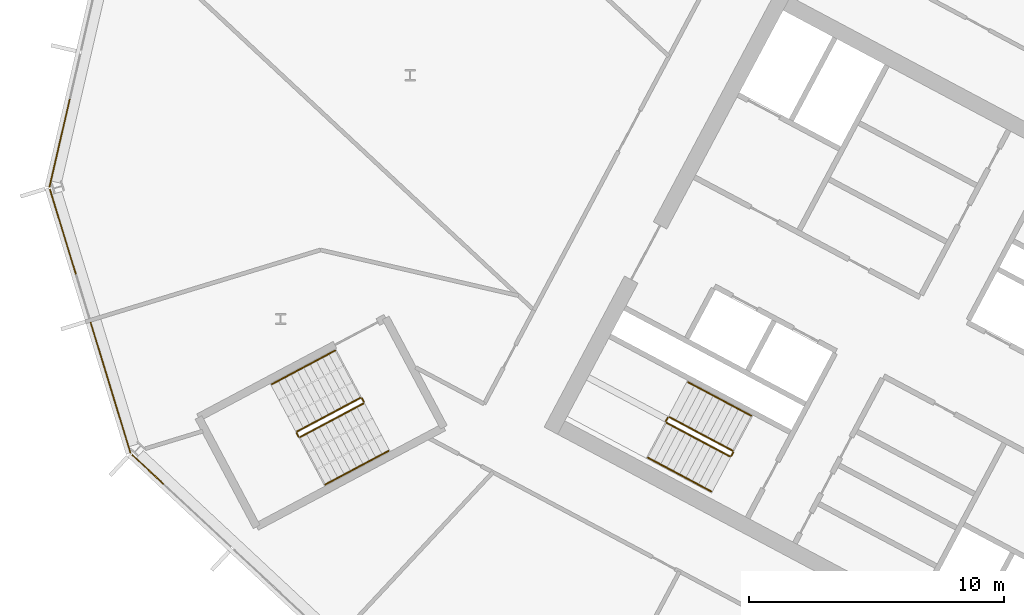
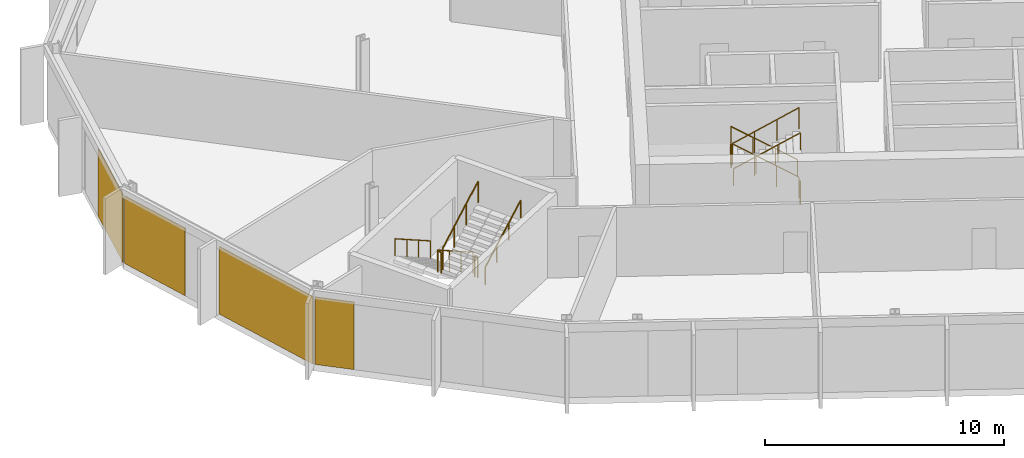
# One storey, part 20 of 26: 12 railings, 4 coverings, 3 elements without a shape of their own.
"""IFC4 building model written with IfcOpenShell, lengths in metres."""

from ifc_helpers import new_model, si_unit, direction, frame, origin, origin_2d, place, context, subcontext, project, spatial, polyline, rectangle, outline, extrude, material, layer, layer_set, type_object, element, aggregate, save


model = new_model("IFC4")

# Units and contexts
model_context = context("Model", 3, precision=1e-05, world=origin(), true_north=direction((0.0, 1.0)))
body_context = subcontext(model_context, "Body", "Model", "MODEL_VIEW")
ifc_project = project(units=[si_unit("LENGTHUNIT", "METRE"), si_unit("AREAUNIT", "SQUARE_METRE"), si_unit("VOLUMEUNIT", "CUBIC_METRE"), si_unit("PLANEANGLEUNIT", "RADIAN"), si_unit("MASSUNIT", "GRAM", prefix="KILO")], contexts=[model_context])

# Site, building, storey
site_placement = place(None, origin())
site = spatial("IfcSite", under=ifc_project, at=site_placement, CompositionType="ELEMENT")
building_placement = place(site_placement, origin())
building = spatial("IfcBuilding", under=site, at=building_placement, Name="Cormorant Relay Tower", CompositionType="ELEMENT")
storey_placement = place(building_placement, frame((0.0, 0.0, 228.60009765625)))
storey = spatial("IfcBuildingStorey", under=building, at=storey_placement, Name="L50", CompositionType="ELEMENT", Elevation=228.60009765625)

# Curtain wall, covering
ifc_material_1 = material(Name="Aluminium 6063-T6 anodised bronze", Category="aluminium")
ifc_layer_1 = layer(ifc_material_1, 0.199951171875)
ifc_layer_set_1 = layer_set([ifc_layer_1], Name="CW1 unitised bronze curtain wall with vertical fins")
curtain_wall_type = type_object("IfcCurtainWallType", Name="CW1 unitised bronze curtain wall with vertical fins", PredefinedType="NOTDEFINED", material=ifc_layer_set_1)
curtain_wall_1_placement = place(storey_placement, origin())
curtain_wall_1 = element("IfcCurtainWall", 1, at=curtain_wall_1_placement, inside=storey, type_object=curtain_wall_type, Name="CW1 curtain wall 13", PredefinedType="NOTDEFINED")
ifc_material_2 = material(Name="Pale bronze anodised aluminium insulated panel", Category="aluminium")
ifc_layer_2 = layer(ifc_material_2, 0.0400390625)
ifc_layer_set_2 = layer_set([ifc_layer_2], Name="CW1 pale bronze insulated panel 40")
covering_type = type_object("IfcCoveringType", Name="CW1 pale bronze insulated panel 40", PredefinedType="CLADDING", material=ifc_layer_set_2)
covering_1_placement = place(storey_placement, frame((-60.3388671875, 22.13232421875, 0.0), z_axis=(0.0, 0.0, 1.0), x_axis=(-0.224951054344, -0.974370064785, 0.0)))
covering_1 = element("IfcCovering", 2, at=covering_1_placement, type_object=covering_type, Name="CW1 panel S02", PredefinedType="CLADDING", context=body_context, shape_type="SweptSolid", body=[
    extrude(rectangle(XDim=3.560302734375, YDim=0.0400390625, at=origin_2d()), origin(), (0.0, 0.0, 1.0), 3.449951171875),
])
aggregate(curtain_wall_1, [covering_1])

# Curtain wall, coverings
curtain_wall_2_placement = place(storey_placement, origin())
curtain_wall_2 = element("IfcCurtainWall", 3, at=curtain_wall_2_placement, inside=storey, type_object=curtain_wall_type, Name="CW1 curtain wall 14", PredefinedType="NOTDEFINED")
covering_2_placement = place(storey_placement, frame((-60.20751953125, 18.6494140625, 0.0), z_axis=(0.0, 0.0, 1.0), x_axis=(0.292371704723, -0.956304755963, 0.0)))
covering_2 = element("IfcCovering", 4, at=covering_2_placement, type_object=covering_type, Name="CW1 panel S00", PredefinedType="CLADDING", context=body_context, shape_type="SweptSolid", body=[
    extrude(rectangle(XDim=3.485107421875, YDim=0.0400390625, at=origin_2d()), origin(), (0.0, 0.0, 1.0), 3.449951171875),
])
covering_3_placement = place(storey_placement, frame((-58.344482421875, 12.55517578125, 0.0), z_axis=(0.0, 0.0, 1.0), x_axis=(0.292371704723, -0.956304755963, 0.0)))
covering_3 = element("IfcCovering", 5, at=covering_3_placement, type_object=covering_type, Name="CW1 panel S02", PredefinedType="CLADDING", context=body_context, shape_type="SweptSolid", body=[
    extrude(rectangle(XDim=5.360107421875, YDim=0.0400390625, at=origin_2d()), origin(), (0.0, 0.0, 1.0), 3.449951171875),
])
aggregate(curtain_wall_2, [covering_2, covering_3])

# Curtain wall, covering
curtain_wall_3_placement = place(storey_placement, origin())
curtain_wall_3 = element("IfcCurtainWall", 6, at=curtain_wall_3_placement, inside=storey, type_object=curtain_wall_type, Name="CW1 curtain wall 15", PredefinedType="NOTDEFINED")
covering_4_placement = place(storey_placement, frame((-56.88427734375, 9.357421875, 0.0), z_axis=(0.0, 0.0, 1.0), x_axis=(0.731353701619, -0.681998360062, 0.0)))
covering_4 = element("IfcCovering", 7, at=covering_4_placement, type_object=covering_type, Name="CW1 panel S00", PredefinedType="CLADDING", context=body_context, shape_type="SweptSolid", body=[
    extrude(rectangle(XDim=1.685302734375, YDim=0.0400390625, at=origin_2d()), origin(), (0.0, 0.0, 1.0), 3.449951171875),
])
aggregate(curtain_wall_3, [covering_4])

# Railings
ifc_material_3 = material(Name="Steel ASTM A572 Grade 50 (Fy 345 MPa)", Category="steel")
railing_type_1 = type_object("IfcRailingType", Name="Stair guard 1100", PredefinedType="GUARDRAIL", material=ifc_material_3)
railing_1_placement = place(storey_placement, frame((-33.9921875, 10.08935546875, 0.17724609375)))
element("IfcRailing", 8, at=railing_1_placement, inside=storey, type_object=railing_type_1, Name="L50 A2 stair guard 1", PredefinedType="GUARDRAIL", context=body_context, shape_type="SweptSolid", body=[
    extrude(outline(polyline([(0.022216796875, 0.00927734375), (0.00927734375, 0.022216796875), (-0.00927734375, 0.022216796875), (-0.022216796875, 0.00927734375), (-0.022216796875, -0.00927734375), (-0.00927734375, -0.022216796875), (0.00927734375, -0.022216796875), (0.022216796875, -0.00927734375), (0.022216796875, 0.00927734375)])), frame((0.0, 0.0, 1.076171875), z_axis=(-0.746001213114, 0.396649272309, 0.534931345884), x_axis=(-0.469465464807, -0.882950835185, 0.0)), (0.0, 0.0, 1.0), 3.31396484375),
    extrude(outline(polyline([(0.019287109375, 0.008056640625), (0.008056640625, 0.019287109375), (-0.008056640625, 0.019287109375), (-0.019287109375, 0.008056640625), (-0.019287109375, -0.008056640625), (-0.008056640625, -0.019287109375), (0.008056640625, -0.019287109375), (0.019287109375, -0.008056640625), (0.019287109375, 0.008056640625)])), origin(), (0.0, 0.0, 1.0), 1.052001953125),
    extrude(outline(polyline([(0.019287109375, 0.008056640625), (0.008056640625, 0.019287109375), (-0.008056640625, 0.019287109375), (-0.019287109375, 0.008056640625), (-0.019287109375, -0.008056640625), (-0.008056640625, -0.019287109375), (0.008056640625, -0.019287109375), (0.019287109375, -0.008056640625), (0.019287109375, 0.008056640625)])), frame((-0.823974609375, 0.438232421875, 0.5908203125)), (0.0, 0.0, 1.0), 1.052001953125),
    extrude(outline(polyline([(0.019287109375, 0.008056640625), (0.008056640625, 0.019287109375), (-0.008056640625, 0.019287109375), (-0.019287109375, 0.008056640625), (-0.019287109375, -0.008056640625), (-0.008056640625, -0.019287109375), (0.008056640625, -0.019287109375), (0.019287109375, -0.008056640625), (0.019287109375, 0.008056640625)])), frame((-1.648193359375, 0.876220703125, 1.181884765625)), (0.0, 0.0, 1.0), 1.052001953125),
    extrude(outline(polyline([(0.019287109375, 0.008056640625), (0.008056640625, 0.019287109375), (-0.008056640625, 0.019287109375), (-0.019287109375, 0.008056640625), (-0.019287109375, -0.008056640625), (-0.008056640625, -0.019287109375), (0.008056640625, -0.019287109375), (0.019287109375, -0.008056640625), (0.019287109375, 0.008056640625)])), frame((-2.47216796875, 1.314453125, 1.772705078125)), (0.0, 0.0, 1.0), 1.052001953125),
])
railing_2_placement = place(storey_placement, frame((-36.531982421875, 11.38330078125, 1.949951171875)))
element("IfcRailing", 9, at=railing_2_placement, inside=storey, type_object=railing_type_1, Name="L50 A2 stair guard 2", PredefinedType="GUARDRAIL", context=body_context, shape_type="SweptSolid", body=[
    extrude(outline(polyline([(0.022216796875, 0.00927734375), (0.00927734375, 0.022216796875), (-0.00927734375, 0.022216796875), (-0.022216796875, 0.00927734375), (-0.022216796875, -0.00927734375), (-0.00927734375, -0.022216796875), (0.00927734375, -0.022216796875), (0.022216796875, -0.00927734375), (0.022216796875, 0.00927734375)])), frame((0.0, 0.0, 1.076171875), z_axis=(-0.469828648786, -0.882757634224, 0.0), x_axis=(0.882757634224, -0.469828648786, 0.0)), (0.0, 0.0, 1.0), 0.150146484375),
    extrude(outline(polyline([(0.019287109375, 0.008056640625), (0.008056640625, 0.019287109375), (-0.008056640625, 0.019287109375), (-0.019287109375, 0.008056640625), (-0.019287109375, -0.008056640625), (-0.008056640625, -0.019287109375), (0.008056640625, -0.019287109375), (0.019287109375, -0.008056640625), (0.019287109375, 0.008056640625)])), origin(), (0.0, 0.0, 1.0), 1.052001953125),
    extrude(outline(polyline([(0.019287109375, 0.008056640625), (0.008056640625, 0.019287109375), (-0.008056640625, 0.019287109375), (-0.019287109375, 0.008056640625), (-0.019287109375, -0.008056640625), (-0.008056640625, -0.019287109375), (0.008056640625, -0.019287109375), (0.019287109375, -0.008056640625), (0.019287109375, 0.008056640625)])), frame((-0.070556640625, -0.132568359375, 0.0)), (0.0, 0.0, 1.0), 1.052001953125),
])
railing_3_placement = place(storey_placement, frame((-36.581787109375, 11.18310546875, 2.127197265625)))
element("IfcRailing", 10, at=railing_3_placement, inside=storey, type_object=railing_type_1, Name="L50 A2 stair guard 3", PredefinedType="GUARDRAIL", context=body_context, shape_type="SweptSolid", body=[
    extrude(outline(polyline([(0.022216796875, 0.00927734375), (0.00927734375, 0.022216796875), (-0.00927734375, 0.022216796875), (-0.022216796875, 0.00927734375), (-0.022216796875, -0.00927734375), (-0.00927734375, -0.022216796875), (0.00927734375, -0.022216796875), (0.022216796875, -0.00927734375), (0.022216796875, 0.00927734375)])), frame((0.0, 0.0, 1.076171875), z_axis=(0.746001213114, -0.396649272309, 0.534931345884), x_axis=(0.469465464807, 0.882950835185, 0.0)), (0.0, 0.0, 1.0), 3.31396484375),
    extrude(outline(polyline([(0.019287109375, 0.008056640625), (0.008056640625, 0.019287109375), (-0.008056640625, 0.019287109375), (-0.019287109375, 0.008056640625), (-0.019287109375, -0.008056640625), (-0.008056640625, -0.019287109375), (0.008056640625, -0.019287109375), (0.019287109375, -0.008056640625), (0.019287109375, 0.008056640625)])), origin(), (0.0, 0.0, 1.0), 1.052001953125),
    extrude(outline(polyline([(0.019287109375, 0.008056640625), (0.008056640625, 0.019287109375), (-0.008056640625, 0.019287109375), (-0.019287109375, 0.008056640625), (-0.019287109375, -0.008056640625), (-0.008056640625, -0.019287109375), (0.008056640625, -0.019287109375), (0.019287109375, -0.008056640625), (0.019287109375, 0.008056640625)])), frame((0.823974609375, -0.438232421875, 0.5908203125)), (0.0, 0.0, 1.0), 1.052001953125),
    extrude(outline(polyline([(0.019287109375, 0.008056640625), (0.008056640625, 0.019287109375), (-0.008056640625, 0.019287109375), (-0.019287109375, 0.008056640625), (-0.019287109375, -0.008056640625), (-0.008056640625, -0.019287109375), (0.008056640625, -0.019287109375), (0.019287109375, -0.008056640625), (0.019287109375, 0.008056640625)])), frame((1.648193359375, -0.876220703125, 1.181884765625)), (0.0, 0.0, 1.0), 1.052001953125),
    extrude(outline(polyline([(0.019287109375, 0.008056640625), (0.008056640625, 0.019287109375), (-0.008056640625, 0.019287109375), (-0.019287109375, 0.008056640625), (-0.019287109375, -0.008056640625), (-0.008056640625, -0.019287109375), (0.008056640625, -0.019287109375), (0.019287109375, -0.008056640625), (0.019287109375, 0.008056640625)])), frame((2.47216796875, -1.314453125, 1.772705078125)), (0.0, 0.0, 1.0), 1.052001953125),
])
railing_4_placement = place(storey_placement, frame((-33.971435546875, 10.021728515625, 0.0)))
element("IfcRailing", 11, at=railing_4_placement, inside=storey, type_object=railing_type_1, Name="L50 A2 stair guard 4", PredefinedType="GUARDRAIL", context=body_context, shape_type="SweptSolid", body=[
    extrude(outline(polyline([(0.022216796875, 0.00927734375), (0.00927734375, 0.022216796875), (-0.00927734375, 0.022216796875), (-0.022216796875, 0.00927734375), (-0.022216796875, -0.00927734375), (-0.00927734375, -0.022216796875), (0.00927734375, -0.022216796875), (0.022216796875, -0.00927734375), (0.022216796875, 0.00927734375)])), frame((0.0, 0.0, 1.076171875), z_axis=(-0.470503732759, -0.882398003998, 0.0), x_axis=(0.882398003998, -0.470503732759, 0.0)), (0.0, 0.0, 1.0), 0.14990234375),
    extrude(outline(polyline([(0.019287109375, 0.008056640625), (0.008056640625, 0.019287109375), (-0.008056640625, 0.019287109375), (-0.019287109375, 0.008056640625), (-0.019287109375, -0.008056640625), (-0.008056640625, -0.019287109375), (0.008056640625, -0.019287109375), (0.019287109375, -0.008056640625), (0.019287109375, 0.008056640625)])), origin(), (0.0, 0.0, 1.0), 1.052001953125),
    extrude(outline(polyline([(0.019287109375, 0.008056640625), (0.008056640625, 0.019287109375), (-0.008056640625, 0.019287109375), (-0.019287109375, 0.008056640625), (-0.019287109375, -0.008056640625), (-0.008056640625, -0.019287109375), (0.008056640625, -0.019287109375), (0.019287109375, -0.008056640625), (0.019287109375, 0.008056640625)])), frame((-0.070556640625, -0.13232421875, 0.0)), (0.0, 0.0, 1.0), 1.052001953125),
])
railing_5_placement = place(storey_placement, frame((-48.5693359375, 12.155517578125, 0.17724609375)))
element("IfcRailing", 12, at=railing_5_placement, inside=storey, type_object=railing_type_1, Name="L50 RP1 stair guard 1", PredefinedType="GUARDRAIL", context=body_context, shape_type="SweptSolid", body=[
    extrude(outline(polyline([(0.022216796875, 0.00927734375), (0.00927734375, 0.022216796875), (-0.00927734375, 0.022216796875), (-0.022216796875, 0.00927734375), (-0.022216796875, -0.00927734375), (-0.00927734375, -0.022216796875), (0.00927734375, -0.022216796875), (0.022216796875, -0.00927734375), (0.022216796875, 0.00927734375)])), frame((0.0, 0.0, 1.076171875), z_axis=(-0.746012083385, -0.396689549623, 0.534886317514), x_axis=(0.469497295046, -0.882933910293, 0.0)), (0.0, 0.0, 1.0), 3.314208984375),
    extrude(outline(polyline([(0.019287109375, 0.008056640625), (0.008056640625, 0.019287109375), (-0.008056640625, 0.019287109375), (-0.019287109375, 0.008056640625), (-0.019287109375, -0.008056640625), (-0.008056640625, -0.019287109375), (0.008056640625, -0.019287109375), (0.019287109375, -0.008056640625), (0.019287109375, 0.008056640625)])), origin(), (0.0, 0.0, 1.0), 1.052001953125),
    extrude(outline(polyline([(0.019287109375, 0.008056640625), (0.008056640625, 0.019287109375), (-0.008056640625, 0.019287109375), (-0.019287109375, 0.008056640625), (-0.019287109375, -0.008056640625), (-0.008056640625, -0.019287109375), (0.008056640625, -0.019287109375), (0.019287109375, -0.008056640625), (0.019287109375, 0.008056640625)])), frame((-0.82421875, -0.438232421875, 0.5908203125)), (0.0, 0.0, 1.0), 1.052001953125),
    extrude(outline(polyline([(0.019287109375, 0.008056640625), (0.008056640625, 0.019287109375), (-0.008056640625, 0.019287109375), (-0.019287109375, 0.008056640625), (-0.019287109375, -0.008056640625), (-0.008056640625, -0.019287109375), (0.008056640625, -0.019287109375), (0.019287109375, -0.008056640625), (0.019287109375, 0.008056640625)])), frame((-1.648193359375, -0.87646484375, 1.181884765625)), (0.0, 0.0, 1.0), 1.052001953125),
    extrude(outline(polyline([(0.019287109375, 0.008056640625), (0.008056640625, 0.019287109375), (-0.008056640625, 0.019287109375), (-0.019287109375, 0.008056640625), (-0.019287109375, -0.008056640625), (-0.008056640625, -0.019287109375), (0.008056640625, -0.019287109375), (0.019287109375, -0.008056640625), (0.019287109375, 0.008056640625)])), frame((-2.472412109375, -1.314697265625, 1.772705078125)), (0.0, 0.0, 1.0), 1.052001953125),
])
railing_6_placement = place(storey_placement, frame((-51.062255859375, 10.773193359375, 1.949951171875)))
element("IfcRailing", 13, at=railing_6_placement, inside=storey, type_object=railing_type_1, Name="L50 RP1 stair guard 2", PredefinedType="GUARDRAIL", context=body_context, shape_type="SweptSolid", body=[
    extrude(outline(polyline([(0.022216796875, 0.00927734375), (0.00927734375, 0.022216796875), (-0.00927734375, 0.022216796875), (-0.022216796875, 0.00927734375), (-0.022216796875, -0.00927734375), (-0.00927734375, -0.022216796875), (0.00927734375, -0.022216796875), (0.022216796875, -0.00927734375), (0.022216796875, 0.00927734375)])), frame((0.0, 0.0, 1.076171875), z_axis=(0.469234640946, -0.883073525669, 0.0), x_axis=(0.883073525669, 0.469234640946, 0.0)), (0.0, 0.0, 1.0), 0.14990234375),
    extrude(outline(polyline([(0.019287109375, 0.008056640625), (0.008056640625, 0.019287109375), (-0.008056640625, 0.019287109375), (-0.019287109375, 0.008056640625), (-0.019287109375, -0.008056640625), (-0.008056640625, -0.019287109375), (0.008056640625, -0.019287109375), (0.019287109375, -0.008056640625), (0.019287109375, 0.008056640625)])), origin(), (0.0, 0.0, 1.0), 1.052001953125),
    extrude(outline(polyline([(0.019287109375, 0.008056640625), (0.008056640625, 0.019287109375), (-0.008056640625, 0.019287109375), (-0.019287109375, 0.008056640625), (-0.019287109375, -0.008056640625), (-0.008056640625, -0.019287109375), (0.008056640625, -0.019287109375), (0.019287109375, -0.008056640625), (0.019287109375, 0.008056640625)])), frame((0.0703125, -0.13232421875, 0.0)), (0.0, 0.0, 1.0), 1.052001953125),
])
railing_7_placement = place(storey_placement, frame((-50.92431640625, 10.6201171875, 2.127197265625)))
element("IfcRailing", 14, at=railing_7_placement, inside=storey, type_object=railing_type_1, Name="L50 RP1 stair guard 3", PredefinedType="GUARDRAIL", context=body_context, shape_type="SweptSolid", body=[
    extrude(outline(polyline([(0.022216796875, 0.00927734375), (0.00927734375, 0.022216796875), (-0.00927734375, 0.022216796875), (-0.022216796875, 0.00927734375), (-0.022216796875, -0.00927734375), (-0.00927734375, -0.022216796875), (0.00927734375, -0.022216796875), (0.022216796875, -0.00927734375), (0.022216796875, 0.00927734375)])), frame((0.0, 0.0, 1.076171875), z_axis=(0.746033882577, 0.396627473466, 0.534901947407), x_axis=(-0.469429322983, 0.882970050864, 0.0)), (0.0, 0.0, 1.0), 3.31396484375),
    extrude(outline(polyline([(0.019287109375, 0.008056640625), (0.008056640625, 0.019287109375), (-0.008056640625, 0.019287109375), (-0.019287109375, 0.008056640625), (-0.019287109375, -0.008056640625), (-0.008056640625, -0.019287109375), (0.008056640625, -0.019287109375), (0.019287109375, -0.008056640625), (0.019287109375, 0.008056640625)])), origin(), (0.0, 0.0, 1.0), 1.052001953125),
    extrude(outline(polyline([(0.019287109375, 0.008056640625), (0.008056640625, 0.019287109375), (-0.008056640625, 0.019287109375), (-0.019287109375, 0.008056640625), (-0.019287109375, -0.008056640625), (-0.008056640625, -0.019287109375), (0.008056640625, -0.019287109375), (0.019287109375, -0.008056640625), (0.019287109375, 0.008056640625)])), frame((0.82421875, 0.438232421875, 0.5908203125)), (0.0, 0.0, 1.0), 1.052001953125),
    extrude(outline(polyline([(0.019287109375, 0.008056640625), (0.008056640625, 0.019287109375), (-0.008056640625, 0.019287109375), (-0.019287109375, 0.008056640625), (-0.019287109375, -0.008056640625), (-0.008056640625, -0.019287109375), (0.008056640625, -0.019287109375), (0.019287109375, -0.008056640625), (0.019287109375, 0.008056640625)])), frame((1.648193359375, 0.876220703125, 1.181884765625)), (0.0, 0.0, 1.0), 1.052001953125),
    extrude(outline(polyline([(0.019287109375, 0.008056640625), (0.008056640625, 0.019287109375), (-0.008056640625, 0.019287109375), (-0.019287109375, 0.008056640625), (-0.019287109375, -0.008056640625), (-0.008056640625, -0.019287109375), (0.008056640625, -0.019287109375), (0.019287109375, -0.008056640625), (0.019287109375, 0.008056640625)])), frame((2.472412109375, 1.314453125, 1.772705078125)), (0.0, 0.0, 1.0), 1.052001953125),
])
railing_8_placement = place(storey_placement, frame((-48.501708984375, 12.134765625, 0.0)))
element("IfcRailing", 15, at=railing_8_placement, inside=storey, type_object=railing_type_1, Name="L50 RP1 stair guard 4", PredefinedType="GUARDRAIL", context=body_context, shape_type="SweptSolid", body=[
    extrude(outline(polyline([(0.022216796875, 0.00927734375), (0.00927734375, 0.022216796875), (-0.00927734375, 0.022216796875), (-0.022216796875, 0.00927734375), (-0.022216796875, -0.00927734375), (-0.00927734375, -0.022216796875), (0.00927734375, -0.022216796875), (0.022216796875, -0.00927734375), (0.022216796875, 0.00927734375)])), frame((0.0, 0.0, 1.076171875), z_axis=(0.46856034887, -0.8834314911, 0.0), x_axis=(0.8834314911, 0.46856034887, 0.0)), (0.0, 0.0, 1.0), 0.150146484375),
    extrude(outline(polyline([(0.019287109375, 0.008056640625), (0.008056640625, 0.019287109375), (-0.008056640625, 0.019287109375), (-0.019287109375, 0.008056640625), (-0.019287109375, -0.008056640625), (-0.008056640625, -0.019287109375), (0.008056640625, -0.019287109375), (0.019287109375, -0.008056640625), (0.019287109375, 0.008056640625)])), origin(), (0.0, 0.0, 1.0), 1.052001953125),
    extrude(outline(polyline([(0.019287109375, 0.008056640625), (0.008056640625, 0.019287109375), (-0.008056640625, 0.019287109375), (-0.019287109375, 0.008056640625), (-0.019287109375, -0.008056640625), (-0.008056640625, -0.019287109375), (0.008056640625, -0.019287109375), (0.019287109375, -0.008056640625), (0.019287109375, 0.008056640625)])), frame((0.0703125, -0.132568359375, 0.0)), (0.0, 0.0, 1.0), 1.052001953125),
])
ifc_material_4 = material(Name="Steel ASTM A572 Grade 50 (Fy 345 MPa)", Category="steel")
railing_type_2 = type_object("IfcRailingType", Name="Stair handrail 900", PredefinedType="HANDRAIL", material=ifc_material_4)
railing_9_placement = place(storey_placement, frame((-33.264404296875, 11.4580078125, 0.17724609375)))
element("IfcRailing", 16, at=railing_9_placement, inside=storey, type_object=railing_type_2, Name="L50 A2 stair handrail 1", PredefinedType="HANDRAIL", context=body_context, shape_type="SweptSolid", body=[
    extrude(outline(polyline([(0.022216796875, 0.00927734375), (0.00927734375, 0.022216796875), (-0.00927734375, 0.022216796875), (-0.022216796875, 0.00927734375), (-0.022216796875, -0.00927734375), (-0.00927734375, -0.022216796875), (0.00927734375, -0.022216796875), (0.022216796875, -0.00927734375), (0.022216796875, 0.00927734375)])), frame((0.0, 0.0, 0.8759765625), z_axis=(-0.746033882577, 0.396627473466, 0.534901947407), x_axis=(-0.469429322983, -0.882970050864, 0.0)), (0.0, 0.0, 1.0), 3.31396484375),
    extrude(outline(polyline([(0.019287109375, 0.008056640625), (0.008056640625, 0.019287109375), (-0.008056640625, 0.019287109375), (-0.019287109375, 0.008056640625), (-0.019287109375, -0.008056640625), (-0.008056640625, -0.019287109375), (0.008056640625, -0.019287109375), (0.019287109375, -0.008056640625), (0.019287109375, 0.008056640625)])), origin(), (0.0, 0.0, 1.0), 0.851806640625),
    extrude(outline(polyline([(0.019287109375, 0.008056640625), (0.008056640625, 0.019287109375), (-0.008056640625, 0.019287109375), (-0.019287109375, 0.008056640625), (-0.019287109375, -0.008056640625), (-0.008056640625, -0.019287109375), (0.008056640625, -0.019287109375), (0.019287109375, -0.008056640625), (0.019287109375, 0.008056640625)])), frame((-0.82421875, 0.438232421875, 0.5908203125)), (0.0, 0.0, 1.0), 0.851806640625),
    extrude(outline(polyline([(0.019287109375, 0.008056640625), (0.008056640625, 0.019287109375), (-0.008056640625, 0.019287109375), (-0.019287109375, 0.008056640625), (-0.019287109375, -0.008056640625), (-0.008056640625, -0.019287109375), (0.008056640625, -0.019287109375), (0.019287109375, -0.008056640625), (0.019287109375, 0.008056640625)])), frame((-1.648193359375, 0.876220703125, 1.181884765625)), (0.0, 0.0, 1.0), 0.851806640625),
    extrude(outline(polyline([(0.019287109375, 0.008056640625), (0.008056640625, 0.019287109375), (-0.008056640625, 0.019287109375), (-0.019287109375, 0.008056640625), (-0.019287109375, -0.008056640625), (-0.008056640625, -0.019287109375), (0.008056640625, -0.019287109375), (0.019287109375, -0.008056640625), (0.019287109375, 0.008056640625)])), frame((-2.472412109375, 1.314453125, 1.772705078125)), (0.0, 0.0, 1.0), 0.851806640625),
])
railing_10_placement = place(storey_placement, frame((-37.3095703125, 9.814453125, 2.127197265625)))
element("IfcRailing", 17, at=railing_10_placement, inside=storey, type_object=railing_type_2, Name="L50 A2 stair handrail 2", PredefinedType="HANDRAIL", context=body_context, shape_type="SweptSolid", body=[
    extrude(outline(polyline([(0.022216796875, 0.00927734375), (0.00927734375, 0.022216796875), (-0.00927734375, 0.022216796875), (-0.022216796875, 0.00927734375), (-0.022216796875, -0.00927734375), (-0.00927734375, -0.022216796875), (0.00927734375, -0.022216796875), (0.022216796875, -0.00927734375), (0.022216796875, 0.00927734375)])), frame((0.0, 0.0, 0.8759765625), z_axis=(0.746033882577, -0.396627473466, 0.534901947407), x_axis=(0.469429322983, 0.882970050864, 0.0)), (0.0, 0.0, 1.0), 3.31396484375),
    extrude(outline(polyline([(0.019287109375, 0.008056640625), (0.008056640625, 0.019287109375), (-0.008056640625, 0.019287109375), (-0.019287109375, 0.008056640625), (-0.019287109375, -0.008056640625), (-0.008056640625, -0.019287109375), (0.008056640625, -0.019287109375), (0.019287109375, -0.008056640625), (0.019287109375, 0.008056640625)])), origin(), (0.0, 0.0, 1.0), 0.851806640625),
    extrude(outline(polyline([(0.019287109375, 0.008056640625), (0.008056640625, 0.019287109375), (-0.008056640625, 0.019287109375), (-0.019287109375, 0.008056640625), (-0.019287109375, -0.008056640625), (-0.008056640625, -0.019287109375), (0.008056640625, -0.019287109375), (0.019287109375, -0.008056640625), (0.019287109375, 0.008056640625)])), frame((0.82421875, -0.438232421875, 0.5908203125)), (0.0, 0.0, 1.0), 0.851806640625),
    extrude(outline(polyline([(0.019287109375, 0.008056640625), (0.008056640625, 0.019287109375), (-0.008056640625, 0.019287109375), (-0.019287109375, 0.008056640625), (-0.019287109375, -0.008056640625), (-0.008056640625, -0.019287109375), (0.008056640625, -0.019287109375), (0.019287109375, -0.008056640625), (0.019287109375, 0.008056640625)])), frame((1.648193359375, -0.876220703125, 1.181884765625)), (0.0, 0.0, 1.0), 0.851806640625),
    extrude(outline(polyline([(0.019287109375, 0.008056640625), (0.008056640625, 0.019287109375), (-0.008056640625, 0.019287109375), (-0.019287109375, 0.008056640625), (-0.019287109375, -0.008056640625), (-0.008056640625, -0.019287109375), (0.008056640625, -0.019287109375), (0.019287109375, -0.008056640625), (0.019287109375, 0.008056640625)])), frame((2.472412109375, -1.314453125, 1.772705078125)), (0.0, 0.0, 1.0), 0.851806640625),
])
railing_11_placement = place(storey_placement, frame((-49.55517578125, 14.009521484375, 0.17724609375)))
element("IfcRailing", 18, at=railing_11_placement, inside=storey, type_object=railing_type_2, Name="L50 RP1 stair handrail 1", PredefinedType="HANDRAIL", context=body_context, shape_type="SweptSolid", body=[
    extrude(outline(polyline([(0.022216796875, 0.00927734375), (0.00927734375, 0.022216796875), (-0.00927734375, 0.022216796875), (-0.022216796875, 0.00927734375), (-0.022216796875, -0.00927734375), (-0.00927734375, -0.022216796875), (0.00927734375, -0.022216796875), (0.022216796875, -0.00927734375), (0.022216796875, 0.00927734375)])), frame((0.0, 0.0, 0.8759765625), z_axis=(-0.746033882577, -0.396627473466, 0.534901947407), x_axis=(0.469429322983, -0.882970050864, 0.0)), (0.0, 0.0, 1.0), 3.31396484375),
    extrude(outline(polyline([(0.019287109375, 0.008056640625), (0.008056640625, 0.019287109375), (-0.008056640625, 0.019287109375), (-0.019287109375, 0.008056640625), (-0.019287109375, -0.008056640625), (-0.008056640625, -0.019287109375), (0.008056640625, -0.019287109375), (0.019287109375, -0.008056640625), (0.019287109375, 0.008056640625)])), origin(), (0.0, 0.0, 1.0), 0.851806640625),
    extrude(outline(polyline([(0.019287109375, 0.008056640625), (0.008056640625, 0.019287109375), (-0.008056640625, 0.019287109375), (-0.019287109375, 0.008056640625), (-0.019287109375, -0.008056640625), (-0.008056640625, -0.019287109375), (0.008056640625, -0.019287109375), (0.019287109375, -0.008056640625), (0.019287109375, 0.008056640625)])), frame((-0.82421875, -0.438232421875, 0.5908203125)), (0.0, 0.0, 1.0), 0.851806640625),
    extrude(outline(polyline([(0.019287109375, 0.008056640625), (0.008056640625, 0.019287109375), (-0.008056640625, 0.019287109375), (-0.019287109375, 0.008056640625), (-0.019287109375, -0.008056640625), (-0.008056640625, -0.019287109375), (0.008056640625, -0.019287109375), (0.019287109375, -0.008056640625), (0.019287109375, 0.008056640625)])), frame((-1.648193359375, -0.876220703125, 1.181884765625)), (0.0, 0.0, 1.0), 0.851806640625),
    extrude(outline(polyline([(0.019287109375, 0.008056640625), (0.008056640625, 0.019287109375), (-0.008056640625, 0.019287109375), (-0.019287109375, 0.008056640625), (-0.019287109375, -0.008056640625), (-0.008056640625, -0.019287109375), (0.008056640625, -0.019287109375), (0.019287109375, -0.008056640625), (0.019287109375, 0.008056640625)])), frame((-2.472412109375, -1.314453125, 1.772705078125)), (0.0, 0.0, 1.0), 0.851806640625),
])
railing_12_placement = place(storey_placement, frame((-49.9384765625, 8.765869140625, 2.127197265625)))
element("IfcRailing", 19, at=railing_12_placement, inside=storey, type_object=railing_type_2, Name="L50 RP1 stair handrail 2", PredefinedType="HANDRAIL", context=body_context, shape_type="SweptSolid", body=[
    extrude(outline(polyline([(0.022216796875, 0.00927734375), (0.00927734375, 0.022216796875), (-0.00927734375, 0.022216796875), (-0.022216796875, 0.00927734375), (-0.022216796875, -0.00927734375), (-0.00927734375, -0.022216796875), (0.00927734375, -0.022216796875), (0.022216796875, -0.00927734375), (0.022216796875, 0.00927734375)])), frame((0.0, 0.0, 0.8759765625), z_axis=(0.746012083385, 0.396689549623, 0.534886317514), x_axis=(-0.469497295046, 0.882933910293, 0.0)), (0.0, 0.0, 1.0), 3.314208984375),
    extrude(outline(polyline([(0.019287109375, 0.008056640625), (0.008056640625, 0.019287109375), (-0.008056640625, 0.019287109375), (-0.019287109375, 0.008056640625), (-0.019287109375, -0.008056640625), (-0.008056640625, -0.019287109375), (0.008056640625, -0.019287109375), (0.019287109375, -0.008056640625), (0.019287109375, 0.008056640625)])), origin(), (0.0, 0.0, 1.0), 0.851806640625),
    extrude(outline(polyline([(0.019287109375, 0.008056640625), (0.008056640625, 0.019287109375), (-0.008056640625, 0.019287109375), (-0.019287109375, 0.008056640625), (-0.019287109375, -0.008056640625), (-0.008056640625, -0.019287109375), (0.008056640625, -0.019287109375), (0.019287109375, -0.008056640625), (0.019287109375, 0.008056640625)])), frame((0.82421875, 0.438232421875, 0.5908203125)), (0.0, 0.0, 1.0), 0.851806640625),
    extrude(outline(polyline([(0.019287109375, 0.008056640625), (0.008056640625, 0.019287109375), (-0.008056640625, 0.019287109375), (-0.019287109375, 0.008056640625), (-0.019287109375, -0.008056640625), (-0.008056640625, -0.019287109375), (0.008056640625, -0.019287109375), (0.019287109375, -0.008056640625), (0.019287109375, 0.008056640625)])), frame((1.648193359375, 0.87646484375, 1.181884765625)), (0.0, 0.0, 1.0), 0.851806640625),
    extrude(outline(polyline([(0.019287109375, 0.008056640625), (0.008056640625, 0.019287109375), (-0.008056640625, 0.019287109375), (-0.019287109375, 0.008056640625), (-0.019287109375, -0.008056640625), (-0.008056640625, -0.019287109375), (0.008056640625, -0.019287109375), (0.019287109375, -0.008056640625), (0.019287109375, 0.008056640625)])), frame((2.472412109375, 1.314697265625, 1.772705078125)), (0.0, 0.0, 1.0), 0.851806640625),
])

save(model, "model.ifc")
